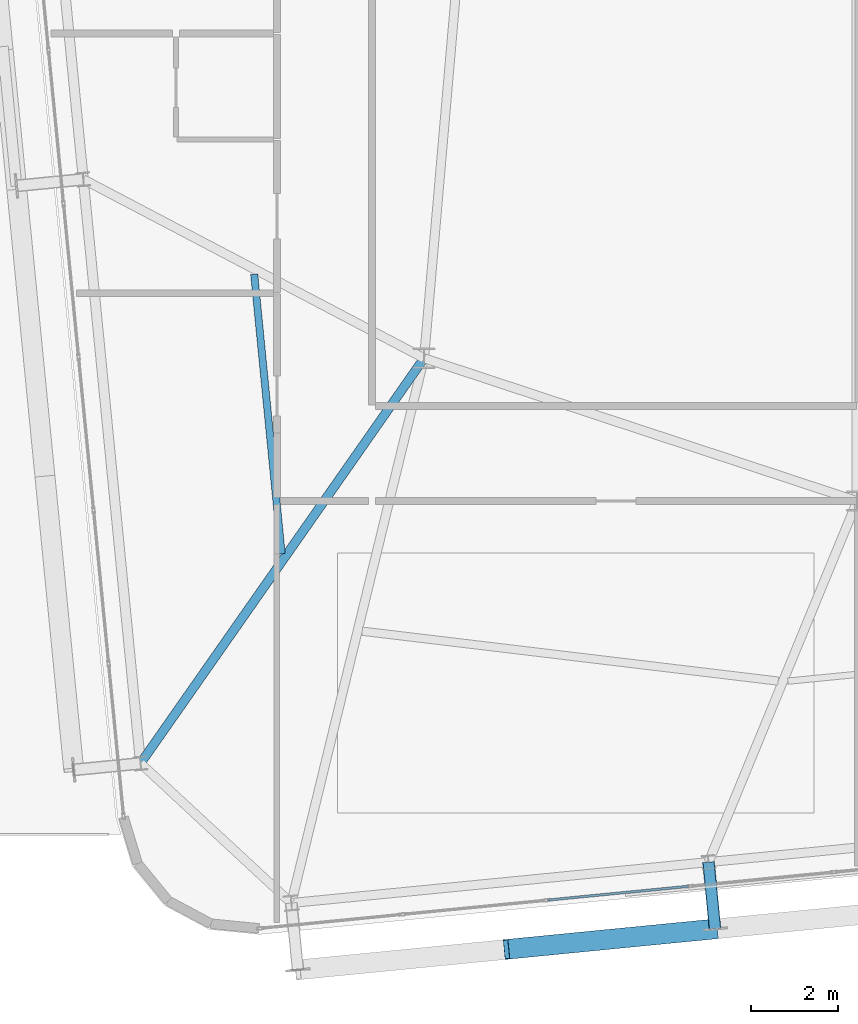
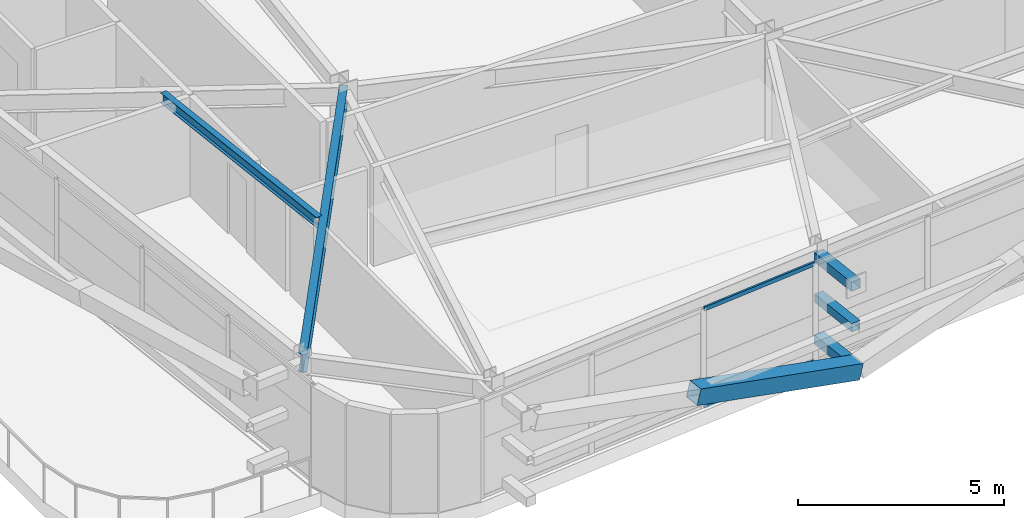
# One storey, part 9 of 51: 6 members, 2 beams, 1 element without a shape of its own.
"""IFC4 building model written with IfcOpenShell, lengths in metres."""

import ifcopenshell
import ifcopenshell.guid

model = None  # the IFC model being written
_history = None  # IfcOwnerHistory: only IFC2X3 demands one
_inside = {}  # id of a spatial element -> (the spatial element, [elements in it])
_under = {}  # id of a project, library or spatial element -> (it, [spatial elements below it])
_declared = {}  # id of a project -> (the project, [libraries it declares])
_typed = {}  # id of a type object -> (the type object, [elements of that type])
_made_of = {}  # id of a material, layer set ... -> (it, [elements and type objects made of it])


def new_model(schema):
    """Start an empty IFC model of exactly this schema.

    Asked for "IFC4X3", IfcOpenShell would pick the latest addendum, in which some entities
    have other attributes; the version numbers below select the first issue.
    IFC2X3 requires an IfcOwnerHistory on every rooted entity: one is made here for all.
    """
    global model, _history
    if schema == "IFC4X3":
        model = ifcopenshell.file(schema_version=(4, 3, 0, 0))
    else:
        model = ifcopenshell.file(schema=schema)
    _inside.clear()
    _under.clear()
    _declared.clear()
    _typed.clear()
    _made_of.clear()
    _history = None
    if model.schema == "IFC2X3":
        org = make("IfcOrganization", Name="unknown")
        user = make(
            "IfcPersonAndOrganization",
            ThePerson=make("IfcPerson", FamilyName="unknown"),
            TheOrganization=org,
        )
        app = make(
            "IfcApplication",
            ApplicationDeveloper=org,
            Version="unknown",
            ApplicationFullName="unknown",
            ApplicationIdentifier="unknown",
        )
        _history = make(
            "IfcOwnerHistory",
            OwningUser=user,
            OwningApplication=app,
            ChangeAction="ADDED",
            CreationDate=0,
        )
    return model


def make(cls, **values):
    """One entity of the class cls with the attributes given. An attribute that is None is left unset."""
    return model.create_entity(
        cls, **{name: value for name, value in values.items() if value is not None}
    )


def rooted(cls, **values):
    """An entity with a GlobalId (a new one), such as an element, a storey or a relation."""
    return make(cls, GlobalId=ifcopenshell.guid.new(), OwnerHistory=_history, **values)


def si_unit(unit_type, name, prefix=None):
    """IfcSIUnit, for example si_unit("LENGTHUNIT", "METRE", prefix="MILLI")."""
    return make("IfcSIUnit", UnitType=unit_type, Prefix=prefix, Name=name)


def assignment(units):
    """IfcUnitAssignment: the units of a project."""
    return None if units is None else make("IfcUnitAssignment", Units=units)


def point(xyz):
    """IfcCartesianPoint."""
    return None if xyz is None else make("IfcCartesianPoint", Coordinates=xyz)


def direction(xyz):
    """IfcDirection."""
    return None if xyz is None else make("IfcDirection", DirectionRatios=xyz)


def frame(location, z_axis=None, x_axis=None):
    """IfcAxis2Placement3D, a coordinate frame: its origin and axes. An axis left out is left unset."""
    return make(
        "IfcAxis2Placement3D",
        Location=point(location),
        Axis=direction(z_axis),
        RefDirection=direction(x_axis),
    )


def frame_2d(location, x_axis=None):
    """IfcAxis2Placement2D, a coordinate frame in the plane: its origin and x axis."""
    return make(
        "IfcAxis2Placement2D", Location=point(location), RefDirection=direction(x_axis)
    )


def origin():
    """The frame at (0, 0, 0) with its axes left unset."""
    return frame((0.0, 0.0, 0.0))


def origin_2d():
    """The frame at (0, 0) in the plane with its x axis left unset."""
    return frame_2d((0.0, 0.0))


def place(relative_to, where):
    """IfcLocalPlacement: puts the frame where relative to a parent placement (None: the world)."""
    return make(
        "IfcLocalPlacement", PlacementRelTo=relative_to, RelativePlacement=where
    )


def context(
    kind, dimensions, precision=None, world=None, true_north=None, identifier=None
):
    """IfcGeometricRepresentationContext, for example the 3D "Model" context."""
    return make(
        "IfcGeometricRepresentationContext",
        ContextIdentifier=identifier,
        ContextType=kind,
        CoordinateSpaceDimension=dimensions,
        Precision=precision,
        WorldCoordinateSystem=world,
        TrueNorth=true_north,
    )


def subcontext(parent, identifier, kind, view, scale=None):
    """IfcGeometricRepresentationSubContext, for example "Body" below "Model"."""
    return make(
        "IfcGeometricRepresentationSubContext",
        ContextIdentifier=identifier,
        ContextType=kind,
        ParentContext=parent,
        TargetScale=scale,
        TargetView=view,
    )


def project(units=None, contexts=None):
    """IfcProject with its units and contexts."""
    return rooted(
        "IfcProject",
        Name="project",
        RepresentationContexts=contexts,
        UnitsInContext=assignment(units),
    )


def spatial(cls, under=None, at=None, **own):
    """A site, building, storey or space (cls), placed at a placement, below another one or the project."""
    s = rooted(cls, ObjectPlacement=at, **own)
    if under is not None:
        _under.setdefault(under.id(), (under, []))[1].append(s)
    return s


def profile(cls, at=None, kind="AREA", **sizes):
    """A parametric profile (cls). Its sizes go by their IFC names, for example OverallWidth=200.0."""
    return make(cls, ProfileType=kind, Position=at, **sizes)


def hollow_rectangle(**sizes):
    """IfcRectangleHollowProfileDef."""
    return profile("IfcRectangleHollowProfileDef", **sizes)


def i_section(**sizes):
    """IfcIShapeProfileDef."""
    return profile("IfcIShapeProfileDef", **sizes)


def extrude(swept, where, along, depth):
    """IfcExtrudedAreaSolid: the profile swept, set in the frame where, extruded along a direction by depth."""
    return make(
        "IfcExtrudedAreaSolid",
        SweptArea=swept,
        Position=where,
        ExtrudedDirection=direction(along),
        Depth=depth,
    )


def shape(context_of_items, identifier, shape_type, items):
    """IfcShapeRepresentation: the items that make up one representation, for example the "Body"."""
    return make(
        "IfcShapeRepresentation",
        ContextOfItems=context_of_items,
        RepresentationIdentifier=identifier,
        RepresentationType=shape_type,
        Items=items,
    )


def source(mapping_origin, context_of_items, identifier, shape_type, items):
    """IfcRepresentationMap: a shape defined once, which mapped items show again and again."""
    return make(
        "IfcRepresentationMap",
        MappingOrigin=mapping_origin,
        MappedRepresentation=shape(context_of_items, identifier, shape_type, items),
    )


def transform(
    local_origin,
    x_axis=None,
    y_axis=None,
    z_axis=None,
    scale=None,
    scale2=None,
    scale3=None,
    uniform=True,
):
    """IfcCartesianTransformationOperator3D, or its non-uniform kind. x_axis, y_axis, z_axis: its Axis1, 2, 3."""
    if uniform:
        return make(
            "IfcCartesianTransformationOperator3D",
            Axis1=direction(x_axis),
            Axis2=direction(y_axis),
            LocalOrigin=point(local_origin),
            Scale=scale,
            Axis3=direction(z_axis),
        )
    return make(
        "IfcCartesianTransformationOperator3DnonUniform",
        Axis1=direction(x_axis),
        Axis2=direction(y_axis),
        LocalOrigin=point(local_origin),
        Scale=scale,
        Axis3=direction(z_axis),
        Scale2=scale2,
        Scale3=scale3,
    )


def mapped(mapping_source, mapping_target):
    """IfcMappedItem: shows the shape of a source again, moved by a transform."""
    return make(
        "IfcMappedItem", MappingSource=mapping_source, MappingTarget=mapping_target
    )


def material(Name=None, Category=None):
    """IfcMaterial."""
    return make("IfcMaterial", Name=Name, Category=Category)


def layer(
    of_material, thickness, ventilated=None, Name=None, Category=None, Priority=None
):
    """IfcMaterialLayer: one layer of a wall or slab, of a material (None: an air gap)."""
    return make(
        "IfcMaterialLayer",
        Material=of_material,
        LayerThickness=thickness,
        IsVentilated=ventilated,
        Name=Name,
        Category=Category,
        Priority=Priority,
    )


def layer_set(layers, Name=None):
    """IfcMaterialLayerSet."""
    return make("IfcMaterialLayerSet", MaterialLayers=layers, LayerSetName=Name)


def material_profile(
    of_material, cross_section, Name=None, Category=None, Priority=None
):
    """IfcMaterialProfile: a cross section and its material."""
    return make(
        "IfcMaterialProfile",
        Name=Name,
        Material=of_material,
        Profile=cross_section,
        Priority=Priority,
        Category=Category,
    )


def profile_set(profiles, Name=None, composite=None):
    """IfcMaterialProfileSet."""
    return make(
        "IfcMaterialProfileSet",
        Name=Name,
        MaterialProfiles=profiles,
        CompositeProfile=composite,
    )


def made_of(thing, what):
    """Note that an element or type object is made of a material, layer set ...; save() writes the relation."""
    if what is not None:
        _made_of.setdefault(what.id(), (what, []))[1].append(thing)
    return thing


def type_object(cls, material=None, **own):
    """A type object (cls), such as IfcWallType, which elements share."""
    return made_of(rooted(cls, **own), material)


def element(
    cls,
    number,
    at=None,
    inside=None,
    cuts=None,
    type_object=None,
    material=None,
    context=None,
    identifier="Body",
    shape_type=None,
    held_by="IfcProductDefinitionShape",
    body=None,
    shapes=None,
    **own,
):
    """One element of the class cls, such as IfcWall. Its Tag is "e" and its number.

    at: its placement. inside: the storey or other place that contains it. cuts: it is an
    opening in that element (IfcRelVoidsElement). A single representation is given by context,
    identifier, shape_type and body (its items); several are given by shapes. held_by: the class
    of the entity that holds the representations. save() writes the other relations.
    """
    e = rooted(cls, Tag="e%d" % number, ObjectPlacement=at, **own)
    if body is not None:
        shapes = [shape(context, identifier, shape_type, body)]
    if shapes is not None:
        e.Representation = make(held_by, Representations=shapes)
    if inside is not None:
        _inside.setdefault(inside.id(), (inside, []))[1].append(e)
    if cuts is not None:
        rooted(
            "IfcRelVoidsElement", RelatingBuildingElement=cuts, RelatedOpeningElement=e
        )
    if type_object is not None:
        _typed.setdefault(type_object.id(), (type_object, []))[1].append(e)
    return made_of(e, material)


def aggregate(whole, parts):
    """IfcRelAggregates: a whole, such as a stair, and the parts it consists of."""
    return rooted("IfcRelAggregates", RelatingObject=whole, RelatedObjects=parts)


def save(model, path):
    """Write the relations noted so far, then the file.

    IfcRelAggregates (storeys below a building ...), IfcRelContainedInSpatialStructure (elements
    in a storey), IfcRelDefinesByType, IfcRelAssociatesMaterial and IfcRelDeclares: one each for
    every whole, place, type object, material and project.
    """
    for whole, parts in _under.values():
        aggregate(whole, parts)
    for where, things in _inside.values():
        rooted(
            "IfcRelContainedInSpatialStructure",
            RelatedElements=things,
            RelatingStructure=where,
        )
    for kind, things in _typed.values():
        rooted("IfcRelDefinesByType", RelatedObjects=things, RelatingType=kind)
    for what, things in _made_of.values():
        rooted("IfcRelAssociatesMaterial", RelatedObjects=things, RelatingMaterial=what)
    for by, libraries in _declared.values():
        rooted("IfcRelDeclares", RelatingContext=by, RelatedDefinitions=libraries)
    model.write(path)


model = new_model("IFC4")

# Units and contexts
model_context = context("Model", 3, precision=1e-05, world=origin(), true_north=direction((0.0, 1.0)))
body_context = subcontext(model_context, "Body", "Model", "MODEL_VIEW")
ifc_project = project(units=[si_unit("LENGTHUNIT", "METRE"), si_unit("AREAUNIT", "SQUARE_METRE"), si_unit("VOLUMEUNIT", "CUBIC_METRE"), si_unit("PLANEANGLEUNIT", "RADIAN"), si_unit("MASSUNIT", "GRAM", prefix="KILO")], contexts=[model_context])

# Site, building, storey
site_placement = place(None, origin())
site = spatial("IfcSite", under=ifc_project, at=site_placement, CompositionType="ELEMENT")
building_placement = place(site_placement, origin())
building = spatial("IfcBuilding", under=site, at=building_placement, Name="Taldren Reach Tower", CompositionType="ELEMENT")
storey_placement = place(building_placement, frame((0.0, 0.0, 65.10009765625)))
storey = spatial("IfcBuildingStorey", under=building, at=storey_placement, Name="L19", CompositionType="ELEMENT", Elevation=65.10009765625)

# Beams
ifc_material_1 = material(Name="Steel Gr 350 (350PLUS)", Category="steel")
ifc_material_profile_1 = material_profile(ifc_material_1, i_section(OverallWidth=0.208984375, OverallDepth=0.532958984375, WebThickness=0.01025390625, FlangeThickness=0.015625, at=origin_2d()), Name="530UB92.4")
ifc_profile_set_1 = profile_set([ifc_material_profile_1], Name="Steel Gr 350 (350PLUS)")
beam_type_1 = type_object("IfcBeamType", Name="BM-UB530A", PredefinedType="BEAM", material=ifc_profile_set_1)
shared_shape_1 = source(origin(), body_context, "Body", "SweptSolid", [
    extrude(i_section(OverallWidth=0.208984375, OverallDepth=0.532958984375, WebThickness=0.01025390625, FlangeThickness=0.015625, at=origin_2d()), origin(), (0.0, 0.0, 1.0), 11.417724609375),
])
beam_1_placement = place(storey_placement, frame((18.0, 12.5, 2.663330078125), z_axis=(-0.573412116146, -0.819267077977, 0.0), x_axis=(0.819267077977, -0.573412116146, 0.0)))
element("IfcBeam", 1, at=beam_1_placement, inside=storey, type_object=beam_type_1, Name="Primary floor girder B2-W1 L19", PredefinedType="BEAM", context=body_context, shape_type="MappedRepresentation", body=[
    mapped(shared_shape_1, transform((0.0, 0.0, 0.0), scale=1.0)),
])
ifc_material_2 = material(Name="Steel Gr 300 (300PLUS, 300 MPa)", Category="steel")
ifc_material_profile_2 = material_profile(ifc_material_2, i_section(OverallWidth=0.166015625, OverallDepth=0.306884765625, WebThickness=0.006591796875, FlangeThickness=0.01171875, at=origin_2d()), Name="310UB46.2")
ifc_profile_set_2 = profile_set([ifc_material_profile_2], Name="Steel Gr 300 (300PLUS, 300 MPa)")
beam_type_2 = type_object("IfcBeamType", Name="JS-UB310", PredefinedType="JOIST", material=ifc_profile_set_2)
shared_shape_2 = source(origin(), body_context, "Body", "SweptSolid", [
    extrude(i_section(OverallWidth=0.166015625, OverallDepth=0.306884765625, WebThickness=0.006591796875, FlangeThickness=0.01171875, at=origin_2d()), origin(), (0.0, 0.0, 1.0), 6.489501953125),
])
beam_2_placement = place(storey_placement, frame((14.710693359375, 7.982666015625, 2.7763671875), z_axis=(-0.097588959486, 0.995226805802, 0.0), x_axis=(-0.995226805802, -0.097588959486, 0.0)))
element("IfcBeam", 2, at=beam_2_placement, inside=storey, type_object=beam_type_2, Name="Secondary floor joist B2 J6 L19", PredefinedType="JOIST", context=body_context, shape_type="MappedRepresentation", body=[
    mapped(shared_shape_2, transform((0.0, 0.0, 0.0), scale=1.0)),
])

# Members
ifc_material_3 = material(Name="Steel Gr 450 (C450L0)", Category="steel")
ifc_material_profile_3 = material_profile(ifc_material_3, hollow_rectangle(XDim=0.27490234375, YDim=0.27490234375, WallThickness=0.00927734375, at=origin_2d()), Name="275x275x9.3SHS")
ifc_profile_set_3 = profile_set([ifc_material_profile_3], Name="Steel Gr 450 (C450L0)")
member_type_1 = type_object("IfcMemberType", Name="MB-TIE273", PredefinedType="STRUT", material=ifc_profile_set_3)
shared_shape_3 = source(origin(), body_context, "Body", "SweptSolid", [
    extrude(hollow_rectangle(XDim=0.27490234375, YDim=0.27490234375, WallThickness=0.00927734375, at=origin_2d()), origin(), (0.0, 0.0, 1.0), 1.550048828125),
])
for number, where, z_axis, x_axis, name in (
    (3, (24.56787109375, 0.86474609375, 2.64990234375), (0.097647892962, -0.9952210252, 0.0), (0.9952210252, 0.097647892962, 0.0), "Exoskeleton diaphragm tie strut B2-S2 L19"),
    (4, (24.56787109375, 0.86474609375, 0.219970703125), (0.097647892962, -0.9952210252, 0.0), (0.9952210252, 0.097647892962, 0.0), "Exoskeleton base diaphragm tie strut B2-S2 L19"),
):
    element("IfcMember", number, at=place(storey_placement, frame(where, z_axis=z_axis, x_axis=x_axis)), inside=storey, type_object=member_type_1, Name=name, PredefinedType="STRUT", context=body_context, shape_type="MappedRepresentation", body=[
        mapped(shared_shape_3, transform((0.0, 0.0, 0.0), scale=1.0)),
    ])
ifc_material_profile_4 = material_profile(ifc_material_3, hollow_rectangle(XDim=0.4599609375, YDim=0.4599609375, WallThickness=0.01611328125, at=origin_2d()), Name="460x460x16.0SHS")
ifc_profile_set_4 = profile_set([ifc_material_profile_4], Name="Steel Gr 450 (C450L0)")
member_type_2 = type_object("IfcMemberType", Name="MB-EXO457", PredefinedType="BRACE", material=ifc_profile_set_4)
shared_shape_4 = source(origin(), body_context, "Body", "SweptSolid", [
    extrude(hollow_rectangle(XDim=0.4599609375, YDim=0.4599609375, WallThickness=0.01611328125, at=origin_2d()), origin(), (0.0, 0.0, 1.0), 4.990234375),
])
member_1_placement = place(storey_placement, frame((24.71923828125, -0.677978515625, 0.219970703125), z_axis=(-0.965287024526, -0.094620633828, 0.24344998652), x_axis=(0.097555749586, -0.995230061706, 0.0)))
element("IfcMember", 5, at=member_1_placement, inside=storey, type_object=member_type_2, Name="Exoskeleton Diagrid Brace B2-S1 L19", PredefinedType="BRACE", context=body_context, shape_type="MappedRepresentation", body=[
    mapped(shared_shape_4, transform((0.0, 0.0, 0.0), scale=1.0)),
])
ifc_material_4 = material(Name="Steel Gr 350 (C350L0)", Category="steel")
ifc_material_profile_5 = material_profile(ifc_material_4, hollow_rectangle(XDim=0.25, YDim=0.25, WallThickness=0.010009765625, at=origin_2d()), Name="250x250x10.0SHS")
ifc_profile_set_5 = profile_set([ifc_material_profile_5], Name="Steel Gr 350 (C350L0)")
member_type_3 = type_object("IfcMemberType", Name="MB-POST250", PredefinedType="POST", material=ifc_profile_set_5)
shared_shape_5 = source(origin(), body_context, "Body", "SweptSolid", [
    extrude(hollow_rectangle(XDim=0.25, YDim=0.25, WallThickness=0.010009765625, at=origin_2d()), origin(), (0.0, 0.0, 1.0), 1.550048828125),
])
member_2_placement = place(storey_placement, frame((24.56787109375, 0.86474609375, 1.434814453125), z_axis=(0.097647892962, -0.9952210252, 0.0), x_axis=(0.9952210252, 0.097647892962, 0.0)))
element("IfcMember", 6, at=member_2_placement, inside=storey, type_object=member_type_3, Name="Exoskeleton mid-tier diaphragm tie B2-S2 L19", PredefinedType="POST", context=body_context, shape_type="MappedRepresentation", body=[
    mapped(shared_shape_5, transform((0.0, 0.0, 0.0), scale=1.0)),
])

# Curtain wall, members
ifc_material_5 = material(Name="Aluminium and Low-E Glass Unitised System", Category="aluminium")
ifc_layer = layer(ifc_material_5, 0.159912109375)
ifc_layer_set = layer_set([ifc_layer], Name="Aluminium and Low-E Glass Unitised System")
curtain_wall_type = type_object("IfcCurtainWallType", Name="CW-SYS-3", PredefinedType="NOTDEFINED", material=ifc_layer_set)
curtain_wall_placement = place(storey_placement, origin())
curtain_wall = element("IfcCurtainWall", 7, at=curtain_wall_placement, inside=storey, type_object=curtain_wall_type, Name="Unitised curtain wall CW-L19-S", PredefinedType="NOTDEFINED")
ifc_material_6 = material(Name="Anodised Aluminium 6063-T6", Category="aluminium")
ifc_material_profile_6 = material_profile(ifc_material_6, hollow_rectangle(XDim=0.054931640625, YDim=0.1201171875, WallThickness=0.0029296875, at=origin_2d()), Name="ALU-120x55x3RHS")
ifc_profile_set_6 = profile_set([ifc_material_profile_6], Name="Anodised Aluminium 6063-T6")
member_type_4 = type_object("IfcMemberType", Name="CW-TRN-135", PredefinedType="USERDEFINED", material=ifc_profile_set_6)
shared_shape_6 = source(origin(), body_context, "Body", "SweptSolid", [
    extrude(hollow_rectangle(XDim=0.054931640625, YDim=0.1201171875, WallThickness=0.0029296875, at=origin_2d()), origin(), (0.0, 0.0, 1.0), 3.268310546875),
])
member_3_placement = place(storey_placement, frame((20.85498046875, -0.01171875, 0.02734375), z_axis=(0.99522980512, 0.097558367146, 0.0), x_axis=(-0.097558367146, 0.99522980512, 0.0)))
member_3 = element("IfcMember", 8, at=member_3_placement, type_object=member_type_4, Name="CW-3 transom 3.1", ObjectType="TRANSOM", PredefinedType="USERDEFINED", context=body_context, shape_type="MappedRepresentation", body=[
    mapped(shared_shape_6, transform((0.0, 0.0, 0.0), scale=1.0)),
])
member_4_placement = place(storey_placement, frame((20.85498046875, -0.01171875, 2.90234375), z_axis=(0.99522980512, 0.097558367146, 0.0), x_axis=(-0.097558367146, 0.99522980512, 0.0)))
member_4 = element("IfcMember", 9, at=member_4_placement, type_object=member_type_4, Name="CW-3 transom 3.2", ObjectType="TRANSOM", PredefinedType="USERDEFINED", context=body_context, shape_type="MappedRepresentation", body=[
    mapped(shared_shape_6, transform((0.0, 0.0, 0.0), scale=1.0)),
])
aggregate(curtain_wall, [member_3, member_4])

save(model, "model.ifc")
